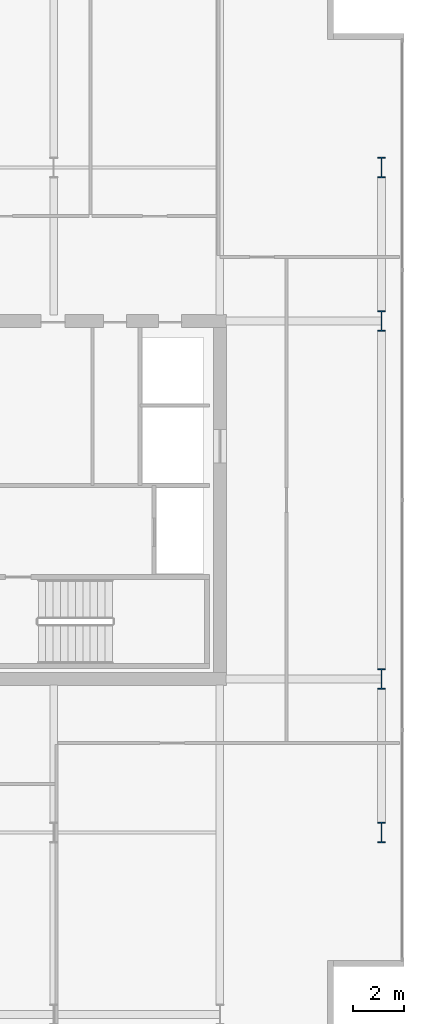
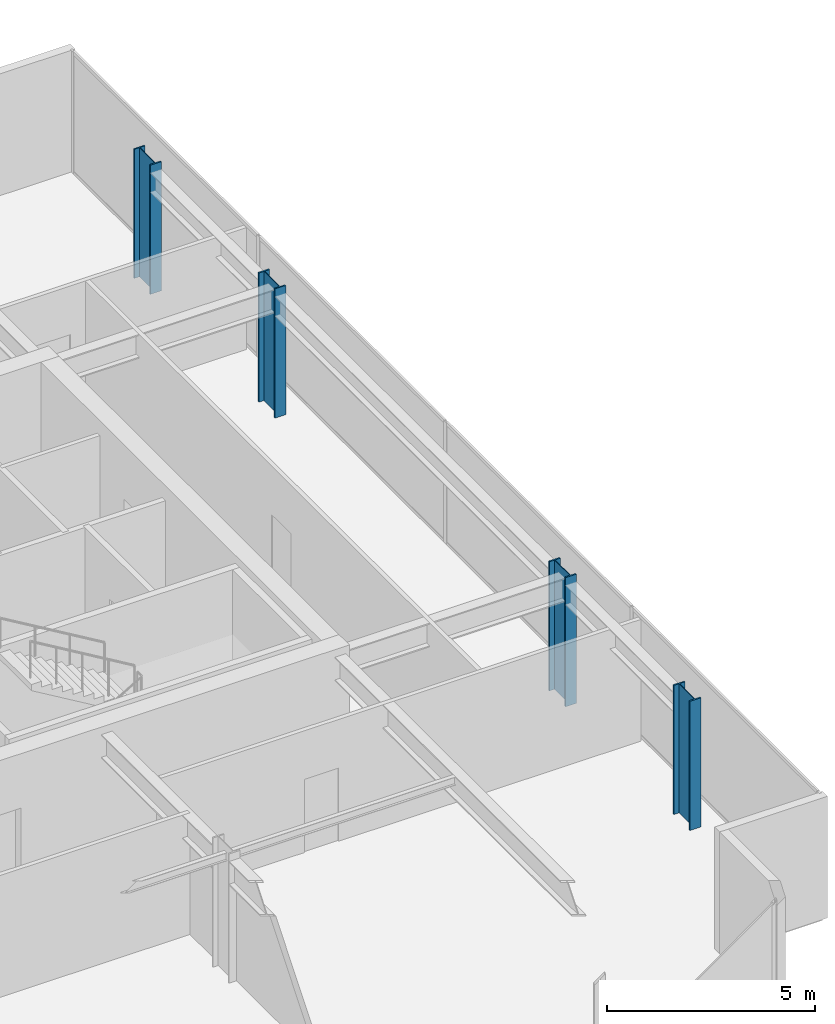
# One storey, part 2 of 23: 4 columns.
"""IFC4 building model written with IfcOpenShell, lengths in metres."""

from ifc_helpers import new_model, si_unit, direction, frame, origin, origin_2d, place, context, subcontext, project, spatial, i_section, extrude, material, material_profile, profile_set, type_object, element, save


model = new_model("IFC4")

# Units and contexts
model_context = context("Model", 3, precision=1e-05, world=origin(), true_north=direction((0.0, 1.0)))
body_context = subcontext(model_context, "Body", "Model", "MODEL_VIEW")
ifc_project = project(units=[si_unit("LENGTHUNIT", "METRE"), si_unit("AREAUNIT", "SQUARE_METRE"), si_unit("VOLUMEUNIT", "CUBIC_METRE"), si_unit("PLANEANGLEUNIT", "RADIAN"), si_unit("MASSUNIT", "GRAM", prefix="KILO")], contexts=[model_context])

# Site, building, storey
site_placement = place(None, origin())
site = spatial("IfcSite", under=ifc_project, at=site_placement, CompositionType="ELEMENT")
building_placement = place(site_placement, origin())
building = spatial("IfcBuilding", under=site, at=building_placement, Name="Putna Gate Headquarters", CompositionType="ELEMENT")
storey_placement = place(building_placement, frame((0.0, 0.0, 225.199951171875)))
storey = spatial("IfcBuildingStorey", under=building, at=storey_placement, Name="L56", CompositionType="ELEMENT", Elevation=225.199951171875)

# Columns
ifc_material = material(Name="Steel S460M", Category="steel")
ifc_material_profile = material_profile(ifc_material, i_section(OverallWidth=0.302978515625, OverallDepth=0.81396484375, WebThickness=0.02099609375, FlangeThickness=0.0400390625, at=origin_2d()), Name="Steel S460M")
ifc_profile_set = profile_set([ifc_material_profile], Name="Steel S460M")
column_type = type_object("IfcColumnType", Name="COL-STL-HEM800-EXT", PredefinedType="COLUMN", material=ifc_profile_set)
for number, where, z_axis, x_axis, name in (
    (1, (71.320068359375, 13.0, 0.0), (0.0, 0.0, 1.0), (1.0, 0.0, 0.0), "L56 Column CP-E13"),
    (2, (71.320068359375, 19.0, 0.0), (0.0, 0.0, 1.0), (1.0, 0.0, 0.0), "L56 Column CP-E19"),
    (3, (71.320068359375, 33.0, 0.0), (0.0, 0.0, 1.0), (1.0, 0.0, 0.0), "L56 Column CP-E33"),
    (4, (71.320068359375, 39.0, 0.0), (0.0, 0.0, 1.0), (1.0, 0.0, 0.0), "L56 Column CP-E39"),
):
    element("IfcColumn", number, at=place(storey_placement, frame(where, z_axis=z_axis, x_axis=x_axis)), inside=storey, type_object=column_type, Name=name, PredefinedType="COLUMN", context=body_context, shape_type="SweptSolid", body=[
        extrude(i_section(OverallWidth=0.302978515625, OverallDepth=0.81396484375, WebThickness=0.02099609375, FlangeThickness=0.0400390625, at=origin_2d()), origin(), (0.0, 0.0, 1.0), 3.800048828125),
    ])

save(model, "model.ifc")
